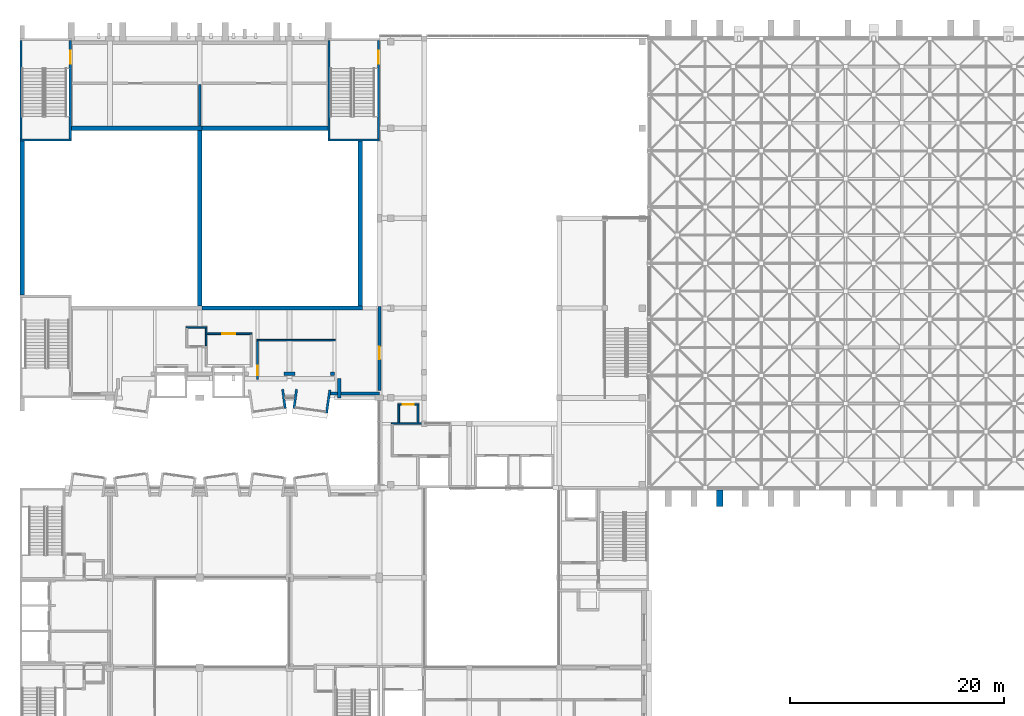
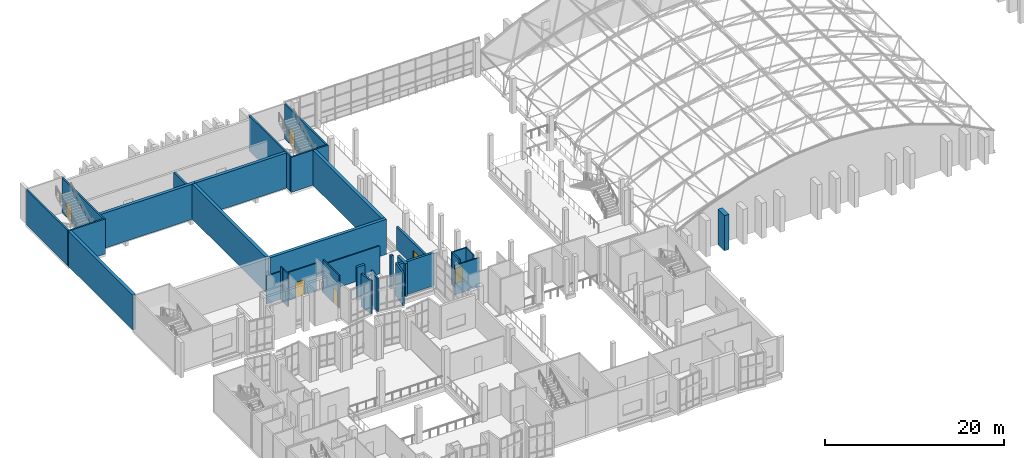
# One storey, part 68 of 100: 32 walls, 6 doors, 6 openings.
"""IFC4 building model written with IfcOpenShell, lengths in metres."""

from ifc_helpers import new_model, si_unit, direction, frame, frame_2d, origin, place, context, subcontext, project, spatial, rectangle, extrude, material, layer, layer_set, type_object, element, fill, save


model = new_model("IFC4")

# Units and contexts
model_context = context("Model", 3, precision=1e-05, world=origin(), true_north=direction((0.0, 1.0)))
body_context = subcontext(model_context, "Body", "Model", "MODEL_VIEW")
ifc_project = project(units=[si_unit("LENGTHUNIT", "METRE"), si_unit("AREAUNIT", "SQUARE_METRE"), si_unit("VOLUMEUNIT", "CUBIC_METRE"), si_unit("PLANEANGLEUNIT", "RADIAN"), si_unit("MASSUNIT", "GRAM", prefix="KILO")], contexts=[model_context])

# Site, building, storey
site_placement = place(None, origin())
site = spatial("IfcSite", under=ifc_project, at=site_placement, CompositionType="ELEMENT")
building_placement = place(site_placement, origin())
building = spatial("IfcBuilding", under=site, at=building_placement, Name="Kiln Court Media Centre", CompositionType="ELEMENT")
storey_placement = place(building_placement, frame((0.0, 0.0, 15.0)))
storey = spatial("IfcBuildingStorey", under=building, at=storey_placement, Name="L03", CompositionType="ELEMENT", Elevation=15.0)

# Wall, opening, door
ifc_material_1 = material(Name="Concrete block masonry M10", Category="masonry")
ifc_layer_1 = layer(ifc_material_1, 0.25)
ifc_layer_set_1 = layer_set([ifc_layer_1], Name="Block fire wall 250 EI 240")
wall_type_1 = type_object("IfcWallType", Name="Block fire wall 250 EI 240", PredefinedType="SOLIDWALL", material=ifc_layer_set_1)
wall_1_placement = place(storey_placement, frame((33.60009765625, 34.300048828125, 0.0), z_axis=(0.0, 0.0, 1.0), x_axis=(0.0, 1.0, 0.0)))
wall_1 = element("IfcWall", 1, at=wall_1_placement, inside=storey, type_object=wall_type_1, Name="L03 block fire wall", PredefinedType="SOLIDWALL", context=body_context, shape_type="SweptSolid", body=[
    extrude(rectangle(XDim=7.824951171875, YDim=0.25, at=frame_2d((3.91259765625, 0.0))), origin(), (0.0, 0.0, 1.0), 3.10009765625),
])
opening_1_placement = place(wall_1_placement, frame((2.89990234375, 0.0, 0.0)))
opening_1 = element("IfcOpeningElement", 2, at=opening_1_placement, cuts=wall_1, Name="Opening D3014", PredefinedType="OPENING", context=body_context, shape_type="SweptSolid", body=[
    extrude(rectangle(XDim=1.199951171875, YDim=2.10009765625, at=frame_2d((0.60009765625, 1.050048828125))), frame((0.0, 0.135009765625, 0.0), z_axis=(0.0, -1.0, 0.0), x_axis=(1.0, 0.0, 0.0)), (0.0, 0.0, 1.0), 0.27001953125),
])
ifc_material_2 = material(Name="Steel S275", Category="steel")
door_type_1 = type_object("IfcDoorType", Name="Steel fire-wall door 1200 x 2100 FD180", OperationType="SINGLE_SWING_LEFT", PredefinedType="DOOR", material=ifc_material_2)
door_1_placement = place(opening_1_placement, origin())
door_1 = element("IfcDoor", 3, at=door_1_placement, inside=storey, type_object=door_type_1, Name="West Gallery / Foyer Link", OperationType="SINGLE_SWING_LEFT", OverallHeight=2.10009765625, OverallWidth=1.199951171875, PredefinedType="DOOR", context=body_context, shape_type="SweptSolid", body=[
    extrude(rectangle(XDim=1.199951171875, YDim=2.10009765625, at=frame_2d((0.60009765625, 1.050048828125))), frame((0.0, 0.02490234375, 0.0), z_axis=(0.0, -1.0, 0.0), x_axis=(1.0, 0.0, 0.0)), (0.0, 0.0, 1.0), 0.050048828125),
])
fill(opening_1, door_1)

# Wall
ifc_material_3 = material(Name="Concrete block masonry M7.5", Category="masonry")
ifc_layer_2 = layer(ifc_material_3, 0.14990234375)
ifc_layer_set_2 = layer_set([ifc_layer_2], Name="Block lobby wall 150 EI 120")
wall_type_2 = type_object("IfcWallType", Name="Block lobby wall 150 EI 120", PredefinedType="SOLIDWALL", material=ifc_layer_set_2)
wall_2_placement = place(storey_placement, frame((34.72509765625, 31.199951171875, 0.0), z_axis=(0.0, 0.0, 1.0), x_axis=(1.0, 0.0, 0.0)))
element("IfcWall", 4, at=wall_2_placement, inside=storey, type_object=wall_type_2, Name="L03 block lobby wall", PredefinedType="SOLIDWALL", context=body_context, shape_type="SweptSolid", body=[
    extrude(rectangle(XDim=3.14990234375, YDim=0.14990234375, at=frame_2d((1.574951171875, 0.0))), origin(), (0.0, 0.0, 1.0), 4.0),
])

# Wall, opening, door
wall_3_placement = place(storey_placement, frame((17.324951171875, 39.60009765625, 0.0), z_axis=(0.0, 0.0, 1.0), x_axis=(1.0, 0.0, 0.0)))
wall_3 = element("IfcWall", 5, at=wall_3_placement, inside=storey, type_object=wall_type_2, Name="L03 block lobby wall", PredefinedType="SOLIDWALL", context=body_context, shape_type="SweptSolid", body=[
    extrude(rectangle(XDim=4.35009765625, YDim=0.14990234375, at=frame_2d((2.175048828125, 0.0))), origin(), (0.0, 0.0, 1.0), 3.800048828125),
])
opening_2_placement = place(wall_3_placement, frame((1.574951171875, 0.0, 0.0)))
opening_2 = element("IfcOpeningElement", 6, at=opening_2_placement, cuts=wall_3, Name="Opening D3036", PredefinedType="OPENING", context=body_context, shape_type="SweptSolid", body=[
    extrude(rectangle(XDim=1.199951171875, YDim=2.10009765625, at=frame_2d((0.60009765625, 1.050048828125))), frame((0.0, 0.0849609375, 0.0), z_axis=(0.0, -1.0, 0.0), x_axis=(1.0, 0.0, 0.0)), (0.0, 0.0, 1.0), 0.169921875),
])
ifc_material_4 = material(Name="Steel S275", Category="steel")
door_type_2 = type_object("IfcDoorType", Name="Steel lobby door 1200 x 2100 FD120", OperationType="SINGLE_SWING_LEFT", PredefinedType="DOOR", material=ifc_material_4)
door_2_placement = place(opening_2_placement, origin())
door_2 = element("IfcDoor", 7, at=door_2_placement, inside=storey, type_object=door_type_2, Name="Mezzanine Lobby / Fire-fighting Lift Lobby", OperationType="SINGLE_SWING_RIGHT", OverallHeight=2.10009765625, OverallWidth=1.199951171875, PredefinedType="DOOR", context=body_context, shape_type="SweptSolid", body=[
    extrude(rectangle(XDim=1.199951171875, YDim=2.10009765625, at=frame_2d((0.60009765625, 1.050048828125))), frame((0.0, 0.02490234375, 0.0), z_axis=(0.0, -1.0, 0.0), x_axis=(1.0, 0.0, 0.0)), (0.0, 0.0, 1.0), 0.050048828125),
])
fill(opening_2, door_2)

# Walls
wall_4_placement = place(storey_placement, frame((17.39990234375, 38.47509765625, 0.0), z_axis=(0.0, 0.0, 1.0), x_axis=(0.0, 1.0, 0.0)))
element("IfcWall", 8, at=wall_4_placement, inside=storey, type_object=wall_type_2, Name="L03 block lobby wall", PredefinedType="SOLIDWALL", context=body_context, shape_type="SweptSolid", body=[
    extrude(rectangle(XDim=1.0498046875, YDim=0.14990234375, at=frame_2d((0.52490234375, 0.0))), origin(), (0.0, 0.0, 1.0), 4.5),
])
ifc_material_5 = material(Name="Brick masonry facing leaf with RC backing", Category="masonry")
ifc_layer_3 = layer(ifc_material_5, 0.215087890625)
ifc_layer_set_3 = layer_set([ifc_layer_3], Name="Brick masonry bay cheek wall 215")
wall_type_3 = type_object("IfcWallType", Name="Brick masonry bay cheek wall 215", PredefinedType="SOLIDWALL", material=ifc_layer_set_3)
for number, where, z_axis, x_axis, name in (
    (9, (24.5439453125, 34.40869140625, 0.0), (0.0, 0.0, 1.0), (0.13918000587, -0.990267098295, 0.0), "BAY V4-S-L03-20 cheek R"),
    (10, (25.85595703125, 34.40869140625, 0.0), (0.0, 0.0, 1.0), (-0.13918000587, -0.990267098295, 0.0), "BAY V4-S-L03-21 cheek L"),
):
    element("IfcWall", number, at=place(storey_placement, frame(where, z_axis=z_axis, x_axis=x_axis)), inside=storey, type_object=wall_type_3, Name=name, PredefinedType="SOLIDWALL", context=body_context, shape_type="SweptSolid", body=[
        extrude(rectangle(XDim=1.7998046875, YDim=0.215087890625, at=frame_2d((0.89990234375, 0.0))), origin(), (0.0, 0.0, 1.0), 4.5),
    ])
wall_5_placement = place(storey_placement, frame((28.96240234375, 34.344970703125, 0.0), z_axis=(0.0, 0.0, 1.0), x_axis=(-0.139230687381, -0.99025997379, 0.0)))
element("IfcWall", 11, at=wall_5_placement, inside=storey, type_object=wall_type_3, Name="BAY V4-S-L03-21 cheek R", PredefinedType="SOLIDWALL", context=body_context, shape_type="SweptSolid", body=[
    extrude(rectangle(XDim=2.169189453125, YDim=0.215087890625, at=frame_2d((1.08447265625, 0.0))), origin(), (0.0, 0.0, 1.0), 4.5),
])
ifc_material_6 = material(Name="Concrete C40/50", Category="concrete")
ifc_layer_4 = layer(ifc_material_6, 0.39990234375)
ifc_layer_set_4 = layer_set([ifc_layer_4], Name="Concrete C40/50 auditorium wall 400")
wall_type_4 = type_object("IfcWallType", Name="Concrete C40/50 auditorium wall 400", PredefinedType="SHEAR", material=ifc_layer_set_4)
wall_6_placement = place(storey_placement, frame((4.800048828125, 58.800048828125, 0.0), z_axis=(0.0, 0.0, 1.0), x_axis=(1.0, 0.0, 0.0)))
element("IfcWall", 12, at=wall_6_placement, inside=storey, type_object=wall_type_4, Name="L03-W-1075", PredefinedType="SHEAR", context=body_context, shape_type="SweptSolid", body=[
    extrude(rectangle(XDim=12.199951171875, YDim=0.39990234375, at=frame_2d((6.10009765625, 0.0))), origin(), (0.0, 0.0, 1.0), 4.800048828125),
])
wall_7_placement = place(storey_placement, frame((0.200439453125, 43.199951171875, 0.0), z_axis=(0.0, 0.0, 1.0), x_axis=(0.0, 1.0, 0.0)))
element("IfcWall", 13, at=wall_7_placement, inside=storey, type_object=wall_type_4, Name="L03-W-1076", PredefinedType="SHEAR", context=body_context, shape_type="SweptSolid", body=[
    extrude(rectangle(XDim=14.400146484375, YDim=0.39990234375, at=frame_2d((7.2001953125, 0.0))), origin(), (0.0, 0.0, 1.0), 4.800048828125),
])
wall_8_placement = place(storey_placement, frame((16.800048828125, 58.60009765625, 0.0), z_axis=(0.0, 0.0, 1.0), x_axis=(0.0, -1.0, 0.0)))
element("IfcWall", 14, at=wall_8_placement, inside=storey, type_object=wall_type_4, Name="L03-W-1077", PredefinedType="SHEAR", context=body_context, shape_type="SweptSolid", body=[
    extrude(rectangle(XDim=16.400146484375, YDim=0.39990234375, at=frame_2d((8.2001953125, 0.0))), origin(), (0.0, 0.0, 1.0), 4.800048828125),
])
wall_9_placement = place(storey_placement, frame((32.0, 42.0, 0.0), z_axis=(0.0, 0.0, 1.0), x_axis=(-1.0, 0.0, 0.0)))
element("IfcWall", 15, at=wall_9_placement, inside=storey, type_object=wall_type_4, Name="L03-W-1078", PredefinedType="SHEAR", context=body_context, shape_type="SweptSolid", body=[
    extrude(rectangle(XDim=15.0, YDim=0.39990234375, at=frame_2d((7.5, 0.0))), origin(), (0.0, 0.0, 1.0), 4.800048828125),
])
wall_10_placement = place(storey_placement, frame((17.0, 58.800048828125, 0.0), z_axis=(0.0, 0.0, 1.0), x_axis=(1.0, 0.0, 0.0)))
element("IfcWall", 16, at=wall_10_placement, inside=storey, type_object=wall_type_4, Name="L03-W-1079", PredefinedType="SHEAR", context=body_context, shape_type="SweptSolid", body=[
    extrude(rectangle(XDim=11.800048828125, YDim=0.39990234375, at=frame_2d((5.89990234375, 0.0))), origin(), (0.0, 0.0, 1.0), 4.800048828125),
])
wall_11_placement = place(storey_placement, frame((31.800048828125, 57.60009765625, 0.0), z_axis=(0.0, 0.0, 1.0), x_axis=(0.0, -1.0, 0.0)))
element("IfcWall", 17, at=wall_11_placement, inside=storey, type_object=wall_type_4, Name="L03-W-1080", PredefinedType="SHEAR", context=body_context, shape_type="SweptSolid", body=[
    extrude(rectangle(XDim=15.400146484375, YDim=0.39990234375, at=frame_2d((7.7001953125, 0.0))), origin(), (0.0, 0.0, 1.0), 4.800048828125),
])
ifc_material_7 = material(Name="Concrete C40/50", Category="concrete")
ifc_layer_5 = layer(ifc_material_7, 0.300048828125)
ifc_layer_set_5 = layer_set([ifc_layer_5], Name="Concrete C40/50 board-marked facade wall 300")
wall_type_5 = type_object("IfcWallType", Name="Concrete C40/50 board-marked facade wall 300", PredefinedType="SOLIDWALL", material=ifc_layer_set_5)
wall_12_placement = place(storey_placement, frame((25.711181640625, 35.85009765625, 0.0), z_axis=(0.0, 0.0, 1.0), x_axis=(-1.0, 0.0, 0.0)))
element("IfcWall", 18, at=wall_12_placement, inside=storey, type_object=wall_type_5, Name="V4 S facade wall 4003", PredefinedType="SOLIDWALL", context=body_context, shape_type="SweptSolid", body=[
    extrude(rectangle(XDim=1.022216796875, YDim=0.300048828125, at=frame_2d((0.51123046875, 0.0))), origin(), (0.0, 0.0, 1.0), 4.5),
])
wall_13_placement = place(storey_placement, frame((29.39990234375, 35.85009765625, 0.0), z_axis=(0.0, 0.0, 1.0), x_axis=(-1.0, 0.0, 0.0)))
element("IfcWall", 19, at=wall_13_placement, inside=storey, type_object=wall_type_5, Name="V4 S facade wall 4004", PredefinedType="SOLIDWALL", context=body_context, shape_type="SweptSolid", body=[
    extrude(rectangle(XDim=0.3564453125, YDim=0.300048828125, at=frame_2d((0.17822265625, 0.0))), origin(), (0.0, 0.0, 1.0), 4.5),
])
wall_14_placement = place(storey_placement, frame((29.85009765625, 33.60009765625, 0.0), z_axis=(0.0, 0.0, 1.0), x_axis=(0.0, 1.0, 0.0)))
element("IfcWall", 20, at=wall_14_placement, inside=storey, type_object=wall_type_5, Name="V4 W facade wall 4005", PredefinedType="SOLIDWALL", context=body_context, shape_type="SweptSolid", body=[
    extrude(rectangle(XDim=1.7998046875, YDim=0.300048828125, at=frame_2d((0.89990234375, 0.0))), origin(), (0.0, 0.0, 1.0), 4.5),
])
wall_15_placement = place(storey_placement, frame((33.60009765625, 34.0, 0.0), z_axis=(0.0, 0.0, 1.0), x_axis=(-1.0, 0.0, 0.0)))
element("IfcWall", 21, at=wall_15_placement, inside=storey, type_object=wall_type_5, Name="V4 S facade wall 4006", PredefinedType="SOLIDWALL", context=body_context, shape_type="SweptSolid", body=[
    extrude(rectangle(XDim=4.556884765625, YDim=0.300048828125, at=frame_2d((2.2783203125, 0.0))), origin(), (0.0, 0.0, 1.0), 4.5),
])
ifc_material_8 = material(Name="Concrete C40/50", Category="concrete")
ifc_layer_6 = layer(ifc_material_8, 0.60009765625)
ifc_layer_set_6 = layer_set([ifc_layer_6], Name="Concrete C40/50 cast rib 600x1500")
wall_type_6 = type_object("IfcWallType", Name="Concrete C40/50 cast rib 600x1500", PredefinedType="SOLIDWALL", material=ifc_layer_set_6)
wall_16_placement = place(storey_placement, frame((65.39990234375, 24.9736328125, 0.0), z_axis=(0.0, 0.0, 1.0), x_axis=(0.0, -1.0, 0.0)))
element("IfcWall", 22, at=wall_16_placement, inside=storey, type_object=wall_type_6, Name="V1 S gable rib", PredefinedType="SOLIDWALL", context=body_context, shape_type="SweptSolid", body=[
    extrude(rectangle(XDim=1.5, YDim=0.60009765625, at=frame_2d((0.75, 0.0))), origin(), (0.0, 0.0, 1.0), 4.800048828125),
])
ifc_material_9 = material(Name="Concrete C40/50", Category="concrete")
ifc_layer_7 = layer(ifc_material_9, 0.199951171875)
ifc_layer_set_7 = layer_set([ifc_layer_7], Name="Concrete C40/50 shear wall 200")
wall_type_7 = type_object("IfcWallType", Name="Concrete C40/50 shear wall 200", PredefinedType="SHEAR", material=ifc_layer_set_7)
wall_17_placement = place(storey_placement, frame((4.800048828125, 57.699951171875, 0.0), z_axis=(0.0, 0.0, 1.0), x_axis=(-1.0, 0.0, 0.0)))
element("IfcWall", 23, at=wall_17_placement, inside=storey, type_object=wall_type_7, Name="L03-W-1024", PredefinedType="SHEAR", context=body_context, shape_type="SweptSolid", body=[
    extrude(rectangle(XDim=4.799560546875, YDim=0.199951171875, at=frame_2d((2.39990234375, 0.0))), origin(), (0.0, 0.0, 1.0), 4.800048828125),
])
wall_18_placement = place(storey_placement, frame((0.100341796875, 57.800048828125, 0.0), z_axis=(0.0, 0.0, 1.0), x_axis=(0.0, 1.0, 0.0)))
element("IfcWall", 24, at=wall_18_placement, inside=storey, type_object=wall_type_7, Name="L03-W-1026", PredefinedType="SHEAR", context=body_context, shape_type="SweptSolid", body=[
    extrude(rectangle(XDim=9.199951171875, YDim=0.199951171875, at=frame_2d((4.60009765625, 0.0))), origin(), (0.0, 0.0, 1.0), 4.800048828125),
])

# Wall, opening, door
wall_19_placement = place(storey_placement, frame((4.699951171875, 67.0, 0.0), z_axis=(0.0, 0.0, 1.0), x_axis=(0.0, -1.0, 0.0)))
wall_19 = element("IfcWall", 25, at=wall_19_placement, inside=storey, type_object=wall_type_7, Name="L03-W-1027", PredefinedType="SHEAR", context=body_context, shape_type="SweptSolid", body=[
    extrude(rectangle(XDim=9.199951171875, YDim=0.199951171875, at=frame_2d((4.60009765625, 0.0))), origin(), (0.0, 0.0, 1.0), 4.800048828125),
])
opening_3_placement = place(wall_19_placement, frame((0.949951171875, 0.0, 0.0)))
opening_3 = element("IfcOpeningElement", 26, at=opening_3_placement, cuts=wall_19, Name="Opening D3002", PredefinedType="OPENING", context=body_context, shape_type="SweptSolid", body=[
    extrude(rectangle(XDim=1.199951171875, YDim=2.10009765625, at=frame_2d((0.60009765625, 1.050048828125))), frame((0.0, 0.10986328125, 0.0), z_axis=(0.0, -1.0, 0.0), x_axis=(1.0, 0.0, 0.0)), (0.0, 0.0, 1.0), 0.219970703125),
])
ifc_material_10 = material(Name="Steel S275", Category="steel")
door_type_3 = type_object("IfcDoorType", Name="Steel stair door 1200 x 2100 FD180", OperationType="SINGLE_SWING_LEFT", PredefinedType="DOOR", material=ifc_material_10)
door_3_placement = place(opening_3_placement, origin())
door_3 = element("IfcDoor", 27, at=door_3_placement, inside=storey, type_object=door_type_3, Name="Stair 7 / Rear Exit Corridor", OperationType="SINGLE_SWING_RIGHT", OverallHeight=2.10009765625, OverallWidth=1.199951171875, PredefinedType="DOOR", context=body_context, shape_type="SweptSolid", body=[
    extrude(rectangle(XDim=1.199951171875, YDim=2.10009765625, at=frame_2d((0.60009765625, 1.050048828125))), frame((0.0, 0.02490234375, 0.0), z_axis=(0.0, -1.0, 0.0), x_axis=(1.0, 0.0, 0.0)), (0.0, 0.0, 1.0), 0.050048828125),
])
fill(opening_3, door_3)

# Walls
wall_20_placement = place(storey_placement, frame((33.60009765625, 57.699951171875, 0.0), z_axis=(0.0, 0.0, 1.0), x_axis=(-1.0, 0.0, 0.0)))
element("IfcWall", 28, at=wall_20_placement, inside=storey, type_object=wall_type_7, Name="L03-W-1028", PredefinedType="SHEAR", context=body_context, shape_type="SweptSolid", body=[
    extrude(rectangle(XDim=4.800048828125, YDim=0.199951171875, at=frame_2d((2.39990234375, 0.0))), origin(), (0.0, 0.0, 1.0), 4.800048828125),
])
wall_21_placement = place(storey_placement, frame((28.89990234375, 57.800048828125, 0.0), z_axis=(0.0, 0.0, 1.0), x_axis=(0.0, 1.0, 0.0)))
element("IfcWall", 29, at=wall_21_placement, inside=storey, type_object=wall_type_7, Name="L03-W-1030", PredefinedType="SHEAR", context=body_context, shape_type="SweptSolid", body=[
    extrude(rectangle(XDim=9.199951171875, YDim=0.199951171875, at=frame_2d((4.60009765625, 0.0))), origin(), (0.0, 0.0, 1.0), 4.800048828125),
])

# Wall, opening, door
wall_22_placement = place(storey_placement, frame((33.5, 67.0, 0.0), z_axis=(0.0, 0.0, 1.0), x_axis=(0.0, -1.0, 0.0)))
wall_22 = element("IfcWall", 30, at=wall_22_placement, inside=storey, type_object=wall_type_7, Name="L03-W-1031", PredefinedType="SHEAR", context=body_context, shape_type="SweptSolid", body=[
    extrude(rectangle(XDim=9.199951171875, YDim=0.199951171875, at=frame_2d((4.60009765625, 0.0))), origin(), (0.0, 0.0, 1.0), 4.800048828125),
])
opening_4_placement = place(wall_22_placement, frame((0.949951171875, 0.0, 0.0)))
opening_4 = element("IfcOpeningElement", 31, at=opening_4_placement, cuts=wall_22, Name="Opening D3003", PredefinedType="OPENING", context=body_context, shape_type="SweptSolid", body=[
    extrude(rectangle(XDim=1.199951171875, YDim=2.10009765625, at=frame_2d((0.60009765625, 1.050048828125))), frame((0.0, 0.10986328125, 0.0), z_axis=(0.0, -1.0, 0.0), x_axis=(1.0, 0.0, 0.0)), (0.0, 0.0, 1.0), 0.219970703125),
])
door_4_placement = place(opening_4_placement, origin())
door_4 = element("IfcDoor", 32, at=door_4_placement, inside=storey, type_object=door_type_3, Name="West Gallery / Stair 8", OperationType="SINGLE_SWING_RIGHT", OverallHeight=2.10009765625, OverallWidth=1.199951171875, PredefinedType="DOOR", context=body_context, shape_type="SweptSolid", body=[
    extrude(rectangle(XDim=1.199951171875, YDim=2.10009765625, at=frame_2d((0.60009765625, 1.050048828125))), frame((0.0, 0.02490234375, 0.0), z_axis=(0.0, -1.0, 0.0), x_axis=(1.0, 0.0, 0.0)), (0.0, 0.0, 1.0), 0.050048828125),
])
fill(opening_4, door_4)

# Wall
ifc_material_11 = material(Name="Gypsum plasterboard", Category="gypsum")
ifc_layer_8 = layer(ifc_material_11, 0.25)
ifc_layer_set_8 = layer_set([ifc_layer_8], Name="Double-leaf acoustic wall 250 EI 120")
wall_type_8 = type_object("IfcWallType", Name="Double-leaf acoustic wall 250 EI 120", PredefinedType="PARTITIONING", material=ifc_layer_set_8)
wall_23_placement = place(storey_placement, frame((16.800048828125, 59.0, 0.0), z_axis=(0.0, 0.0, 1.0), x_axis=(0.0, 1.0, 0.0)))
element("IfcWall", 33, at=wall_23_placement, inside=storey, type_object=wall_type_8, Name="L03 double-leaf acoustic wall", PredefinedType="PARTITIONING", context=body_context, shape_type="SweptSolid", body=[
    extrude(rectangle(XDim=3.875, YDim=0.25, at=frame_2d((1.9375, 0.0))), origin(), (0.0, 0.0, 1.0), 3.800048828125),
])

# Wall, opening, door
ifc_material_12 = material(Name="Gypsum plasterboard", Category="gypsum")
ifc_layer_9 = layer(ifc_material_12, 0.14990234375)
ifc_layer_set_9 = layer_set([ifc_layer_9], Name="Gypsum corridor partition 150 EI 60")
wall_type_9 = type_object("IfcWallType", Name="Gypsum corridor partition 150 EI 60", PredefinedType="PARTITIONING", material=ifc_layer_set_9)
wall_24_placement = place(storey_placement, frame((35.324951171875, 33.0, 0.0), z_axis=(0.0, 0.0, 1.0), x_axis=(1.0, 0.0, 0.0)))
wall_24 = element("IfcWall", 34, at=wall_24_placement, inside=storey, type_object=wall_type_9, Name="L03 gypsum corridor partition", PredefinedType="PARTITIONING", context=body_context, shape_type="SweptSolid", body=[
    extrude(rectangle(XDim=1.949951171875, YDim=0.14990234375, at=frame_2d((0.97509765625, 0.0))), origin(), (0.0, 0.0, 1.0), 4.5),
])
opening_5_placement = place(wall_24_placement, frame((0.47509765625, 0.0, 0.0)))
opening_5 = element("IfcOpeningElement", 35, at=opening_5_placement, cuts=wall_24, Name="Opening D3013", PredefinedType="OPENING", context=body_context, shape_type="SweptSolid", body=[
    extrude(rectangle(XDim=1.0, YDim=2.10009765625, at=frame_2d((0.5, 1.050048828125))), frame((0.0, 0.0849609375, 0.0), z_axis=(0.0, -1.0, 0.0), x_axis=(1.0, 0.0, 0.0)), (0.0, 0.0, 1.0), 0.169921875),
])
ifc_material_13 = material(Name="Steel S275", Category="steel")
door_type_4 = type_object("IfcDoorType", Name="Steel corridor door 1000 x 2100 FD30S", OperationType="SINGLE_SWING_LEFT", PredefinedType="DOOR", material=ifc_material_13)
door_5_placement = place(opening_5_placement, origin())
door_5 = element("IfcDoor", 36, at=door_5_placement, inside=storey, type_object=door_type_4, Name="West Gallery / Wheelchair Refuge", OperationType="SINGLE_SWING_LEFT", OverallHeight=2.10009765625, OverallWidth=1.0, PredefinedType="DOOR", context=body_context, shape_type="SweptSolid", body=[
    extrude(rectangle(XDim=1.0, YDim=2.10009765625, at=frame_2d((0.5, 1.050048828125))), frame((0.0, 0.02490234375, 0.0), z_axis=(0.0, -1.0, 0.0), x_axis=(1.0, 0.0, 0.0)), (0.0, 0.0, 1.0), 0.050048828125),
])
fill(opening_5, door_5)

# Walls
wall_25_placement = place(storey_placement, frame((22.125, 39.0, 0.0), z_axis=(0.0, 0.0, 1.0), x_axis=(1.0, 0.0, 0.0)))
element("IfcWall", 37, at=wall_25_placement, inside=storey, type_object=wall_type_9, Name="L03 gypsum corridor partition", PredefinedType="PARTITIONING", context=body_context, shape_type="SweptSolid", body=[
    extrude(rectangle(XDim=7.35009765625, YDim=0.14990234375, at=frame_2d((3.675048828125, 0.0))), origin(), (0.0, 0.0, 1.0), 3.800048828125),
])
wall_26_placement = place(storey_placement, frame((15.52490234375, 40.199951171875, 0.0), z_axis=(0.0, 0.0, 1.0), x_axis=(1.0, 0.0, 0.0)))
element("IfcWall", 38, at=wall_26_placement, inside=storey, type_object=wall_type_9, Name="L03 gypsum corridor partition", PredefinedType="PARTITIONING", context=body_context, shape_type="SweptSolid", body=[
    extrude(rectangle(XDim=1.9501953125, YDim=0.14990234375, at=frame_2d((0.97509765625, 0.0))), origin(), (0.0, 0.0, 1.0), 3.800048828125),
])
wall_27_placement = place(storey_placement, frame((17.39990234375, 39.675048828125, 0.0), z_axis=(0.0, 0.0, 1.0), x_axis=(0.0, 1.0, 0.0)))
element("IfcWall", 39, at=wall_27_placement, inside=storey, type_object=wall_type_9, Name="L03 gypsum corridor partition", PredefinedType="PARTITIONING", context=body_context, shape_type="SweptSolid", body=[
    extrude(rectangle(XDim=0.449951171875, YDim=0.14990234375, at=frame_2d((0.22509765625, 0.0))), origin(), (0.0, 0.0, 1.0), 4.5),
])

# Wall, opening, door
wall_28_placement = place(storey_placement, frame((22.199951171875, 35.324951171875, 0.0), z_axis=(0.0, 0.0, 1.0), x_axis=(0.0, 1.0, 0.0)))
wall_28 = element("IfcWall", 40, at=wall_28_placement, inside=storey, type_object=wall_type_9, Name="L03 gypsum corridor partition", PredefinedType="PARTITIONING", context=body_context, shape_type="SweptSolid", body=[
    extrude(rectangle(XDim=3.60009765625, YDim=0.14990234375, at=frame_2d((1.800048828125, 0.0))), origin(), (0.0, 0.0, 1.0), 4.5),
])
opening_6_placement = place(wall_28_placement, frame((0.375, 0.0, 0.0)))
opening_6 = element("IfcOpeningElement", 41, at=opening_6_placement, cuts=wall_28, Name="Opening D3035", PredefinedType="OPENING", context=body_context, shape_type="SweptSolid", body=[
    extrude(rectangle(XDim=0.89990234375, YDim=2.10009765625, at=frame_2d((0.449951171875, 1.050048828125))), frame((0.0, 0.0849609375, 0.0), z_axis=(0.0, -1.0, 0.0), x_axis=(1.0, 0.0, 0.0)), (0.0, 0.0, 1.0), 0.169921875),
])
ifc_material_14 = material(Name="Steel S275", Category="steel")
door_type_5 = type_object("IfcDoorType", Name="Steel corridor door 900 x 2100 FD30S", OperationType="SINGLE_SWING_LEFT", PredefinedType="DOOR", material=ifc_material_14)
door_6_placement = place(opening_6_placement, origin())
door_6 = element("IfcDoor", 42, at=door_6_placement, inside=storey, type_object=door_type_5, Name="Mezzanine Lobby / Toilets", OperationType="SINGLE_SWING_LEFT", OverallHeight=2.10009765625, OverallWidth=0.89990234375, PredefinedType="DOOR", context=body_context, shape_type="SweptSolid", body=[
    extrude(rectangle(XDim=0.89990234375, YDim=2.10009765625, at=frame_2d((0.449951171875, 1.050048828125))), frame((0.0, 0.02490234375, 0.0), z_axis=(0.0, -1.0, 0.0), x_axis=(1.0, 0.0, 0.0)), (0.0, 0.0, 1.0), 0.050048828125),
])
fill(opening_6, door_6)

# Walls
for number, where, z_axis, x_axis, name in (
    (43, (35.39990234375, 31.27490234375, 0.0), (0.0, 0.0, 1.0), (0.0, 1.0, 0.0), "L03 gypsum corridor partition"),
    (44, (37.199951171875, 31.27490234375, 0.0), (0.0, 0.0, 1.0), (0.0, 1.0, 0.0), "L03 gypsum corridor partition"),
):
    element("IfcWall", number, at=place(storey_placement, frame(where, z_axis=z_axis, x_axis=x_axis)), inside=storey, type_object=wall_type_9, Name=name, PredefinedType="PARTITIONING", context=body_context, shape_type="SweptSolid", body=[
        extrude(rectangle(XDim=1.650146484375, YDim=0.14990234375, at=frame_2d((0.8251953125, 0.0))), origin(), (0.0, 0.0, 1.0), 4.5),
    ])

save(model, "model.ifc")
